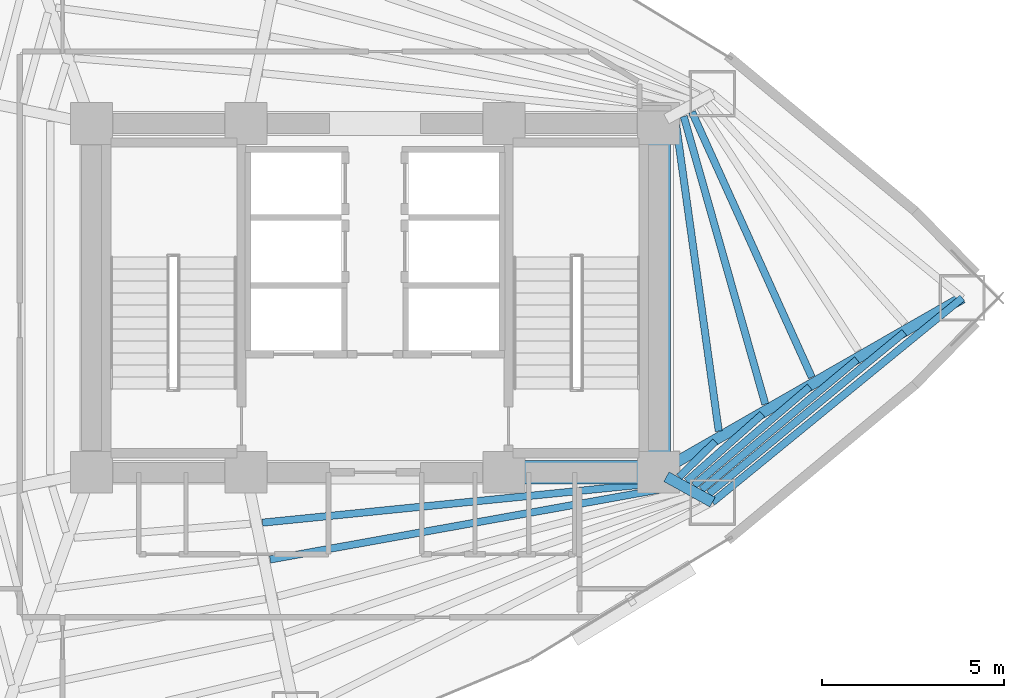
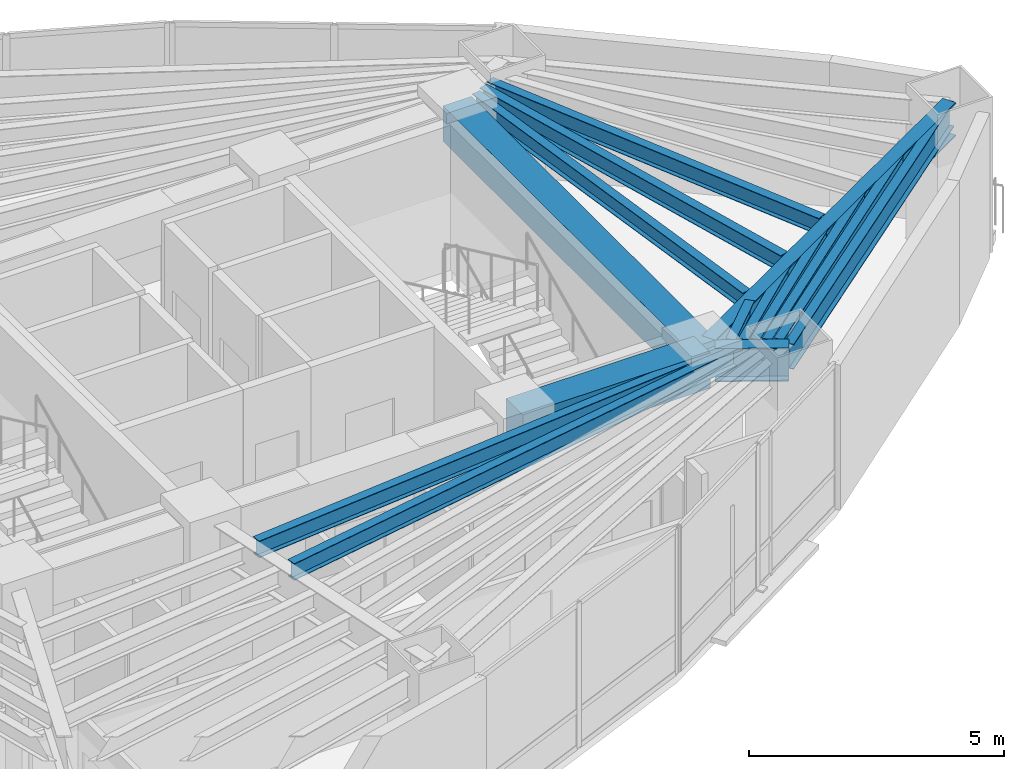
# One storey, part 6 of 18: 15 beams.
"""IFC4 building model written with IfcOpenShell, lengths in metres."""

import ifcopenshell
import ifcopenshell.guid

model = None  # the IFC model being written
_history = None  # IfcOwnerHistory: only IFC2X3 demands one
_inside = {}  # id of a spatial element -> (the spatial element, [elements in it])
_under = {}  # id of a project, library or spatial element -> (it, [spatial elements below it])
_declared = {}  # id of a project -> (the project, [libraries it declares])
_typed = {}  # id of a type object -> (the type object, [elements of that type])
_made_of = {}  # id of a material, layer set ... -> (it, [elements and type objects made of it])


def new_model(schema):
    """Start an empty IFC model of exactly this schema.

    Asked for "IFC4X3", IfcOpenShell would pick the latest addendum, in which some entities
    have other attributes; the version numbers below select the first issue.
    IFC2X3 requires an IfcOwnerHistory on every rooted entity: one is made here for all.
    """
    global model, _history
    if schema == "IFC4X3":
        model = ifcopenshell.file(schema_version=(4, 3, 0, 0))
    else:
        model = ifcopenshell.file(schema=schema)
    _inside.clear()
    _under.clear()
    _declared.clear()
    _typed.clear()
    _made_of.clear()
    _history = None
    if model.schema == "IFC2X3":
        org = make("IfcOrganization", Name="unknown")
        user = make(
            "IfcPersonAndOrganization",
            ThePerson=make("IfcPerson", FamilyName="unknown"),
            TheOrganization=org,
        )
        app = make(
            "IfcApplication",
            ApplicationDeveloper=org,
            Version="unknown",
            ApplicationFullName="unknown",
            ApplicationIdentifier="unknown",
        )
        _history = make(
            "IfcOwnerHistory",
            OwningUser=user,
            OwningApplication=app,
            ChangeAction="ADDED",
            CreationDate=0,
        )
    return model


def make(cls, **values):
    """One entity of the class cls with the attributes given. An attribute that is None is left unset."""
    return model.create_entity(
        cls, **{name: value for name, value in values.items() if value is not None}
    )


def rooted(cls, **values):
    """An entity with a GlobalId (a new one), such as an element, a storey or a relation."""
    return make(cls, GlobalId=ifcopenshell.guid.new(), OwnerHistory=_history, **values)


def si_unit(unit_type, name, prefix=None):
    """IfcSIUnit, for example si_unit("LENGTHUNIT", "METRE", prefix="MILLI")."""
    return make("IfcSIUnit", UnitType=unit_type, Prefix=prefix, Name=name)


def assignment(units):
    """IfcUnitAssignment: the units of a project."""
    return None if units is None else make("IfcUnitAssignment", Units=units)


def point(xyz):
    """IfcCartesianPoint."""
    return None if xyz is None else make("IfcCartesianPoint", Coordinates=xyz)


def direction(xyz):
    """IfcDirection."""
    return None if xyz is None else make("IfcDirection", DirectionRatios=xyz)


def frame(location, z_axis=None, x_axis=None):
    """IfcAxis2Placement3D, a coordinate frame: its origin and axes. An axis left out is left unset."""
    return make(
        "IfcAxis2Placement3D",
        Location=point(location),
        Axis=direction(z_axis),
        RefDirection=direction(x_axis),
    )


def frame_2d(location, x_axis=None):
    """IfcAxis2Placement2D, a coordinate frame in the plane: its origin and x axis."""
    return make(
        "IfcAxis2Placement2D", Location=point(location), RefDirection=direction(x_axis)
    )


def origin():
    """The frame at (0, 0, 0) with its axes left unset."""
    return frame((0.0, 0.0, 0.0))


def origin_2d():
    """The frame at (0, 0) in the plane with its x axis left unset."""
    return frame_2d((0.0, 0.0))


def place(relative_to, where):
    """IfcLocalPlacement: puts the frame where relative to a parent placement (None: the world)."""
    return make(
        "IfcLocalPlacement", PlacementRelTo=relative_to, RelativePlacement=where
    )


def context(
    kind, dimensions, precision=None, world=None, true_north=None, identifier=None
):
    """IfcGeometricRepresentationContext, for example the 3D "Model" context."""
    return make(
        "IfcGeometricRepresentationContext",
        ContextIdentifier=identifier,
        ContextType=kind,
        CoordinateSpaceDimension=dimensions,
        Precision=precision,
        WorldCoordinateSystem=world,
        TrueNorth=true_north,
    )


def subcontext(parent, identifier, kind, view, scale=None):
    """IfcGeometricRepresentationSubContext, for example "Body" below "Model"."""
    return make(
        "IfcGeometricRepresentationSubContext",
        ContextIdentifier=identifier,
        ContextType=kind,
        ParentContext=parent,
        TargetScale=scale,
        TargetView=view,
    )


def project(units=None, contexts=None):
    """IfcProject with its units and contexts."""
    return rooted(
        "IfcProject",
        Name="project",
        RepresentationContexts=contexts,
        UnitsInContext=assignment(units),
    )


def spatial(cls, under=None, at=None, **own):
    """A site, building, storey or space (cls), placed at a placement, below another one or the project."""
    s = rooted(cls, ObjectPlacement=at, **own)
    if under is not None:
        _under.setdefault(under.id(), (under, []))[1].append(s)
    return s


def profile(cls, at=None, kind="AREA", **sizes):
    """A parametric profile (cls). Its sizes go by their IFC names, for example OverallWidth=200.0."""
    return make(cls, ProfileType=kind, Position=at, **sizes)


def rectangle(**sizes):
    """IfcRectangleProfileDef."""
    return profile("IfcRectangleProfileDef", **sizes)


def i_section(**sizes):
    """IfcIShapeProfileDef."""
    return profile("IfcIShapeProfileDef", **sizes)


def extrude(swept, where, along, depth):
    """IfcExtrudedAreaSolid: the profile swept, set in the frame where, extruded along a direction by depth."""
    return make(
        "IfcExtrudedAreaSolid",
        SweptArea=swept,
        Position=where,
        ExtrudedDirection=direction(along),
        Depth=depth,
    )


def shape(context_of_items, identifier, shape_type, items):
    """IfcShapeRepresentation: the items that make up one representation, for example the "Body"."""
    return make(
        "IfcShapeRepresentation",
        ContextOfItems=context_of_items,
        RepresentationIdentifier=identifier,
        RepresentationType=shape_type,
        Items=items,
    )


def material(Name=None, Category=None):
    """IfcMaterial."""
    return make("IfcMaterial", Name=Name, Category=Category)


def material_profile(
    of_material, cross_section, Name=None, Category=None, Priority=None
):
    """IfcMaterialProfile: a cross section and its material."""
    return make(
        "IfcMaterialProfile",
        Name=Name,
        Material=of_material,
        Profile=cross_section,
        Priority=Priority,
        Category=Category,
    )


def profile_set(profiles, Name=None, composite=None):
    """IfcMaterialProfileSet."""
    return make(
        "IfcMaterialProfileSet",
        Name=Name,
        MaterialProfiles=profiles,
        CompositeProfile=composite,
    )


def made_of(thing, what):
    """Note that an element or type object is made of a material, layer set ...; save() writes the relation."""
    if what is not None:
        _made_of.setdefault(what.id(), (what, []))[1].append(thing)
    return thing


def type_object(cls, material=None, **own):
    """A type object (cls), such as IfcWallType, which elements share."""
    return made_of(rooted(cls, **own), material)


def element(
    cls,
    number,
    at=None,
    inside=None,
    cuts=None,
    type_object=None,
    material=None,
    context=None,
    identifier="Body",
    shape_type=None,
    held_by="IfcProductDefinitionShape",
    body=None,
    shapes=None,
    **own,
):
    """One element of the class cls, such as IfcWall. Its Tag is "e" and its number.

    at: its placement. inside: the storey or other place that contains it. cuts: it is an
    opening in that element (IfcRelVoidsElement). A single representation is given by context,
    identifier, shape_type and body (its items); several are given by shapes. held_by: the class
    of the entity that holds the representations. save() writes the other relations.
    """
    e = rooted(cls, Tag="e%d" % number, ObjectPlacement=at, **own)
    if body is not None:
        shapes = [shape(context, identifier, shape_type, body)]
    if shapes is not None:
        e.Representation = make(held_by, Representations=shapes)
    if inside is not None:
        _inside.setdefault(inside.id(), (inside, []))[1].append(e)
    if cuts is not None:
        rooted(
            "IfcRelVoidsElement", RelatingBuildingElement=cuts, RelatedOpeningElement=e
        )
    if type_object is not None:
        _typed.setdefault(type_object.id(), (type_object, []))[1].append(e)
    return made_of(e, material)


def aggregate(whole, parts):
    """IfcRelAggregates: a whole, such as a stair, and the parts it consists of."""
    return rooted("IfcRelAggregates", RelatingObject=whole, RelatedObjects=parts)


def save(model, path):
    """Write the relations noted so far, then the file.

    IfcRelAggregates (storeys below a building ...), IfcRelContainedInSpatialStructure (elements
    in a storey), IfcRelDefinesByType, IfcRelAssociatesMaterial and IfcRelDeclares: one each for
    every whole, place, type object, material and project.
    """
    for whole, parts in _under.values():
        aggregate(whole, parts)
    for where, things in _inside.values():
        rooted(
            "IfcRelContainedInSpatialStructure",
            RelatedElements=things,
            RelatingStructure=where,
        )
    for kind, things in _typed.values():
        rooted("IfcRelDefinesByType", RelatedObjects=things, RelatingType=kind)
    for what, things in _made_of.values():
        rooted("IfcRelAssociatesMaterial", RelatedObjects=things, RelatingMaterial=what)
    for by, libraries in _declared.values():
        rooted("IfcRelDeclares", RelatingContext=by, RelatedDefinitions=libraries)
    model.write(path)


model = new_model("IFC4")

# Units and contexts
model_context = context("Model", 3, precision=1e-05, world=origin(), true_north=direction((0.0, 1.0)))
body_context = subcontext(model_context, "Body", "Model", "MODEL_VIEW")
ifc_project = project(units=[si_unit("LENGTHUNIT", "METRE"), si_unit("AREAUNIT", "SQUARE_METRE"), si_unit("VOLUMEUNIT", "CUBIC_METRE"), si_unit("PLANEANGLEUNIT", "RADIAN"), si_unit("MASSUNIT", "GRAM", prefix="KILO")], contexts=[model_context])

# Site, building, storey
site_placement = place(None, origin())
site = spatial("IfcSite", under=ifc_project, at=site_placement, CompositionType="ELEMENT")
building_placement = place(site_placement, origin())
building = spatial("IfcBuilding", under=site, at=building_placement, Name="Menara Vayukalpa", CompositionType="ELEMENT")
storey_placement = place(building_placement, frame((0.0, 0.0, 96.5400390625)))
storey = spatial("IfcBuildingStorey", under=building, at=storey_placement, Name="L23", CompositionType="ELEMENT", Elevation=96.5400390625)

# Beams
ifc_material_1 = material(Name="Concrete C60/75", Category="concrete")
ifc_material_profile_1 = material_profile(ifc_material_1, rectangle(XDim=0.64990234375, YDim=0.85009765625, at=origin_2d()), Name="RC 650x850")
ifc_profile_set_1 = profile_set([ifc_material_profile_1], Name="Concrete C60/75")
beam_type_1 = type_object("IfcBeamType", Name="BM-CB1", PredefinedType="BEAM", material=ifc_profile_set_1)
beam_1_placement = place(storey_placement, frame((29.14990234375, 17.199951171875, 3.044921875), z_axis=(1.0, 0.0, 0.0), x_axis=(0.0, 1.0, 0.0)))
element("IfcBeam", 1, at=beam_1_placement, inside=storey, type_object=beam_type_1, Name="L23 Core Tie Beam CBR3", PredefinedType="BEAM", context=body_context, shape_type="SweptSolid", body=[
    extrude(rectangle(XDim=0.64990234375, YDim=0.85009765625, at=origin_2d()), origin(), (0.0, 0.0, 1.0), 4.25),
])
beam_2_placement = place(storey_placement, frame((33.39990234375, 17.199951171875, 3.044921875), z_axis=(0.0, 1.0, 0.0), x_axis=(-1.0, 0.0, 0.0)))
element("IfcBeam", 2, at=beam_2_placement, inside=storey, type_object=beam_type_1, Name="L23 Core Tie Beam CBR8", PredefinedType="BEAM", context=body_context, shape_type="SweptSolid", body=[
    extrude(rectangle(XDim=0.64990234375, YDim=0.85009765625, at=origin_2d()), origin(), (0.0, 0.0, 1.0), 9.60009765625),
])
ifc_material_2 = material(Name="Steel S355", Category="steel")
ifc_material_profile_2 = material_profile(ifc_material_2, i_section(OverallWidth=0.300048828125, OverallDepth=0.800048828125, WebThickness=0.013916015625, FlangeThickness=0.02587890625, at=origin_2d()), Name="WF 800x300x14x26")
ifc_profile_set_2 = profile_set([ifc_material_profile_2], Name="Steel S355")
beam_type_2 = type_object("IfcBeamType", Name="BM-PG3", PredefinedType="BEAM", material=ifc_profile_set_2)
beam_3_placement = place(storey_placement, frame((33.61669921875, 17.324462890625, 3.070068359375), z_axis=(0.867273673572, 0.497831673488, 0.0), x_axis=(-0.497831673488, 0.867273673572, 0.0)))
element("IfcBeam", 3, at=beam_3_placement, inside=storey, type_object=beam_type_2, Name="L23 Primary Radial Girder RG01", PredefinedType="BEAM", context=body_context, shape_type="SweptSolid", body=[
    extrude(i_section(OverallWidth=0.300048828125, OverallDepth=0.800048828125, WebThickness=0.013916015625, FlangeThickness=0.02587890625, at=origin_2d()), origin(), (0.0, 0.0, 1.0), 9.391845703125),
])
beam_4_placement = place(storey_placement, frame((33.618896484375, 17.0791015625, 3.070068359375), z_axis=(0.875228391676, -0.48370989488, 0.0), x_axis=(0.48370989488, 0.875228391676, 0.0)))
element("IfcBeam", 4, at=beam_4_placement, inside=storey, type_object=beam_type_2, Name="L23 Primary Radial Girder RG09", PredefinedType="BEAM", context=body_context, shape_type="SweptSolid", body=[
    extrude(i_section(OverallWidth=0.300048828125, OverallDepth=0.800048828125, WebThickness=0.013916015625, FlangeThickness=0.02587890625, at=origin_2d()), origin(), (0.0, 0.0, 1.0), 1.448486328125),
])
ifc_material_3 = material(Name="Steel S355", Category="steel")
ifc_material_profile_3 = material_profile(ifc_material_3, i_section(OverallWidth=0.199951171875, OverallDepth=0.39990234375, WebThickness=0.008056640625, FlangeThickness=0.012939453125, at=origin_2d()), Name="WF 400x200x8x13")
ifc_profile_set_3 = profile_set([ifc_material_profile_3], Name="Steel S355")
beam_type_3 = type_object("IfcBeamType", Name="BM-SJ2", PredefinedType="JOIST", material=ifc_profile_set_3)
beam_5_placement = place(storey_placement, frame((35.0595703125, 18.33447265625, 3.27001953125), z_axis=(-0.137826740717, 0.990456354184, 0.0), x_axis=(-0.990456354184, -0.137826740717, 0.0)))
element("IfcBeam", 5, at=beam_5_placement, inside=storey, type_object=beam_type_3, Name="L23 Secondary Floor Joist SJ01-1", PredefinedType="JOIST", context=body_context, shape_type="SweptSolid", body=[
    extrude(i_section(OverallWidth=0.199951171875, OverallDepth=0.39990234375, WebThickness=0.008056640625, FlangeThickness=0.012939453125, at=origin_2d()), origin(), (0.0, 0.0, 1.0), 8.62646484375),
])
beam_6_placement = place(storey_placement, frame((36.33984375, 19.07763671875, 3.27001953125), z_axis=(-0.272628202831, 0.962119464007, 0.0), x_axis=(-0.962119464007, -0.272628202831, 0.0)))
element("IfcBeam", 6, at=beam_6_placement, inside=storey, type_object=beam_type_3, Name="L23 Secondary Floor Joist SJ01-2", PredefinedType="JOIST", context=body_context, shape_type="SweptSolid", body=[
    extrude(i_section(OverallWidth=0.199951171875, OverallDepth=0.39990234375, WebThickness=0.008056640625, FlangeThickness=0.012939453125, at=origin_2d()), origin(), (0.0, 0.0, 1.0), 8.229736328125),
])
beam_7_placement = place(storey_placement, frame((37.619384765625, 19.817138671875, 3.27001953125), z_axis=(-0.411603873645, 0.911362853753, 0.0), x_axis=(-0.911362853753, -0.411603873645, 0.0)))
element("IfcBeam", 7, at=beam_7_placement, inside=storey, type_object=beam_type_3, Name="L23 Secondary Floor Joist SJ01-3", PredefinedType="JOIST", context=body_context, shape_type="SweptSolid", body=[
    extrude(i_section(OverallWidth=0.199951171875, OverallDepth=0.39990234375, WebThickness=0.008056640625, FlangeThickness=0.012939453125, at=origin_2d()), origin(), (0.0, 0.0, 1.0), 8.00927734375),
])
beam_8_placement = place(storey_placement, frame((22.50439453125, 15.81591796875, 3.27001953125), z_axis=(0.995012836574, 0.099746955103, 0.0), x_axis=(-0.099746955103, 0.995012836574, 0.0)))
element("IfcBeam", 8, at=beam_8_placement, inside=storey, type_object=beam_type_3, Name="L23 Secondary Floor Joist SJ08-1", PredefinedType="JOIST", context=body_context, shape_type="SweptSolid", body=[
    extrude(i_section(OverallWidth=0.199951171875, OverallDepth=0.39990234375, WebThickness=0.008056640625, FlangeThickness=0.012939453125, at=origin_2d()), origin(), (0.0, 0.0, 1.0), 11.2294921875),
])
beam_9_placement = place(storey_placement, frame((22.7119140625, 14.801513671875, 3.27001953125), z_axis=(0.984205443357, 0.177030068819, 0.0), x_axis=(-0.177030068819, 0.984205443357, 0.0)))
element("IfcBeam", 9, at=beam_9_placement, inside=storey, type_object=beam_type_3, Name="L23 Secondary Floor Joist SJ08-2", PredefinedType="JOIST", context=body_context, shape_type="SweptSolid", body=[
    extrude(i_section(OverallWidth=0.199951171875, OverallDepth=0.39990234375, WebThickness=0.008056640625, FlangeThickness=0.012939453125, at=origin_2d()), origin(), (0.0, 0.0, 1.0), 11.349853515625),
])
beam_10_placement = place(storey_placement, frame((33.968505859375, 17.072021484375, 3.27001953125), z_axis=(0.713567159094, 0.700586832208, 0.0), x_axis=(-0.700586832208, 0.713567159094, 0.0)))
element("IfcBeam", 10, at=beam_10_placement, inside=storey, type_object=beam_type_3, Name="L23 Secondary Floor Joist SJ09-1", PredefinedType="JOIST", context=body_context, shape_type="SweptSolid", body=[
    extrude(i_section(OverallWidth=0.199951171875, OverallDepth=0.39990234375, WebThickness=0.008056640625, FlangeThickness=0.012939453125, at=origin_2d()), origin(), (0.0, 0.0, 1.0), 1.391845703125),
])
beam_11_placement = place(storey_placement, frame((34.177001953125, 16.95361328125, 3.27001953125), z_axis=(0.747951028434, 0.663753914539, 0.0), x_axis=(-0.663753914539, 0.747951028434, 0.0)))
element("IfcBeam", 11, at=beam_11_placement, inside=storey, type_object=beam_type_3, Name="L23 Secondary Floor Joist SJ09-2", PredefinedType="JOIST", context=body_context, shape_type="SweptSolid", body=[
    extrude(i_section(OverallWidth=0.199951171875, OverallDepth=0.39990234375, WebThickness=0.008056640625, FlangeThickness=0.012939453125, at=origin_2d()), origin(), (0.0, 0.0, 1.0), 2.78369140625),
])
beam_12_placement = place(storey_placement, frame((34.382080078125, 16.839111328125, 3.27001953125), z_axis=(0.760566613353, 0.649259906858, 0.0), x_axis=(-0.649259906858, 0.760566613353, 0.0)))
element("IfcBeam", 12, at=beam_12_placement, inside=storey, type_object=beam_type_3, Name="L23 Secondary Floor Joist SJ09-3", PredefinedType="JOIST", context=body_context, shape_type="SweptSolid", body=[
    extrude(i_section(OverallWidth=0.199951171875, OverallDepth=0.39990234375, WebThickness=0.008056640625, FlangeThickness=0.012939453125, at=origin_2d()), origin(), (0.0, 0.0, 1.0), 4.178466796875),
])
beam_13_placement = place(storey_placement, frame((34.586181640625, 16.7255859375, 3.27001953125), z_axis=(0.767139570374, 0.64148022539, 0.0), x_axis=(-0.64148022539, 0.767139570374, 0.0)))
element("IfcBeam", 13, at=beam_13_placement, inside=storey, type_object=beam_type_3, Name="L23 Secondary Floor Joist SJ09-4", PredefinedType="JOIST", context=body_context, shape_type="SweptSolid", body=[
    extrude(i_section(OverallWidth=0.199951171875, OverallDepth=0.39990234375, WebThickness=0.008056640625, FlangeThickness=0.012939453125, at=origin_2d()), origin(), (0.0, 0.0, 1.0), 5.57421875),
])
beam_14_placement = place(storey_placement, frame((34.789794921875, 16.61279296875, 3.27001953125), z_axis=(0.771153144941, 0.636649689428, 0.0), x_axis=(-0.636649689428, 0.771153144941, 0.0)))
element("IfcBeam", 14, at=beam_14_placement, inside=storey, type_object=beam_type_3, Name="L23 Secondary Floor Joist SJ09-5", PredefinedType="JOIST", context=body_context, shape_type="SweptSolid", body=[
    extrude(i_section(OverallWidth=0.199951171875, OverallDepth=0.39990234375, WebThickness=0.008056640625, FlangeThickness=0.012939453125, at=origin_2d()), origin(), (0.0, 0.0, 1.0), 6.969970703125),
])
ifc_material_4 = material(Name="Steel S355", Category="steel")
ifc_material_profile_4 = material_profile(ifc_material_4, i_section(OverallWidth=0.199951171875, OverallDepth=0.60009765625, WebThickness=0.010986328125, FlangeThickness=0.01708984375, at=origin_2d()), Name="WF 600x200x11x17")
ifc_profile_set_4 = profile_set([ifc_material_profile_4], Name="Steel S355")
beam_type_4 = type_object("IfcBeamType", Name="BM-SP1", PredefinedType="SPANDREL", material=ifc_profile_set_4)
beam_15_placement = place(storey_placement, frame((34.88671875, 16.37841796875, 3.169921875), z_axis=(0.774156906301, 0.632993747541, 0.0), x_axis=(-0.632993747541, 0.774156906301, 0.0)))
element("IfcBeam", 15, at=beam_15_placement, inside=storey, type_object=beam_type_4, Name="L23 Perimeter Spandrel Beam SP09", PredefinedType="SPANDREL", context=body_context, shape_type="SweptSolid", body=[
    extrude(i_section(OverallWidth=0.199951171875, OverallDepth=0.60009765625, WebThickness=0.010986328125, FlangeThickness=0.01708984375, at=origin_2d()), origin(), (0.0, 0.0, 1.0), 8.880859375),
])

save(model, "model.ifc")
